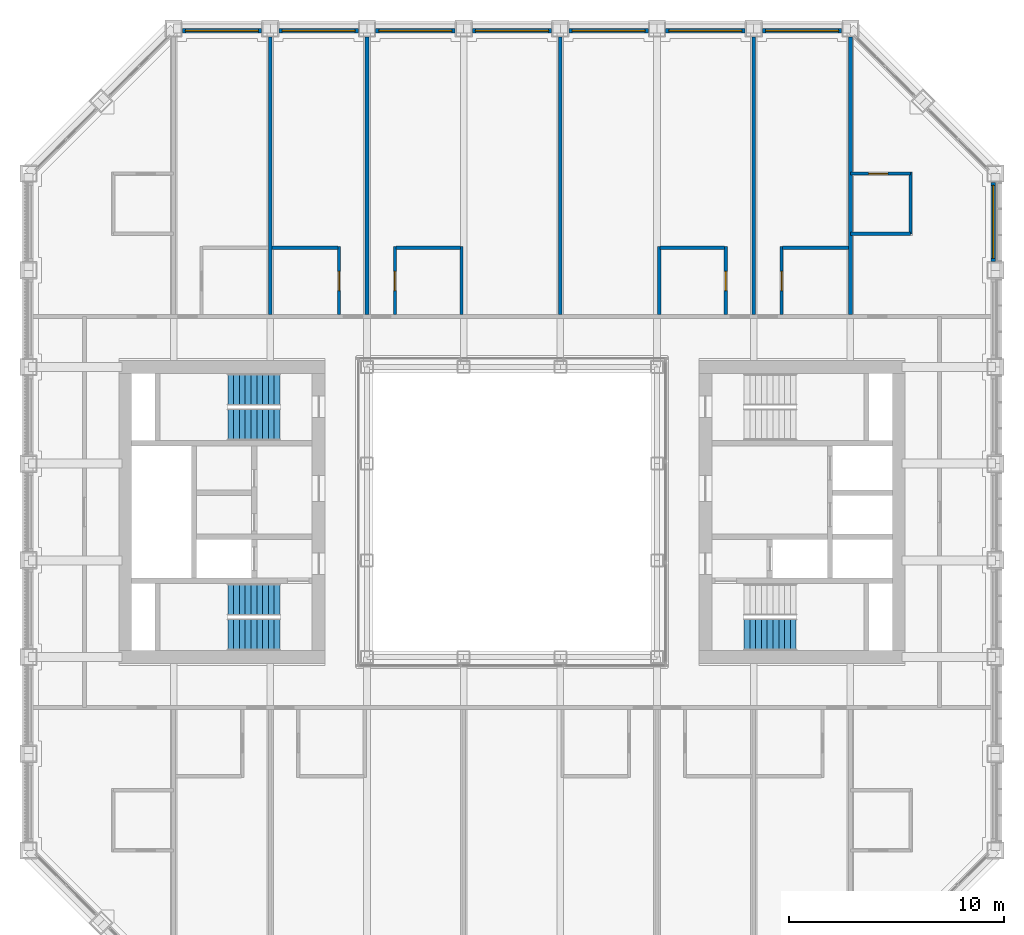
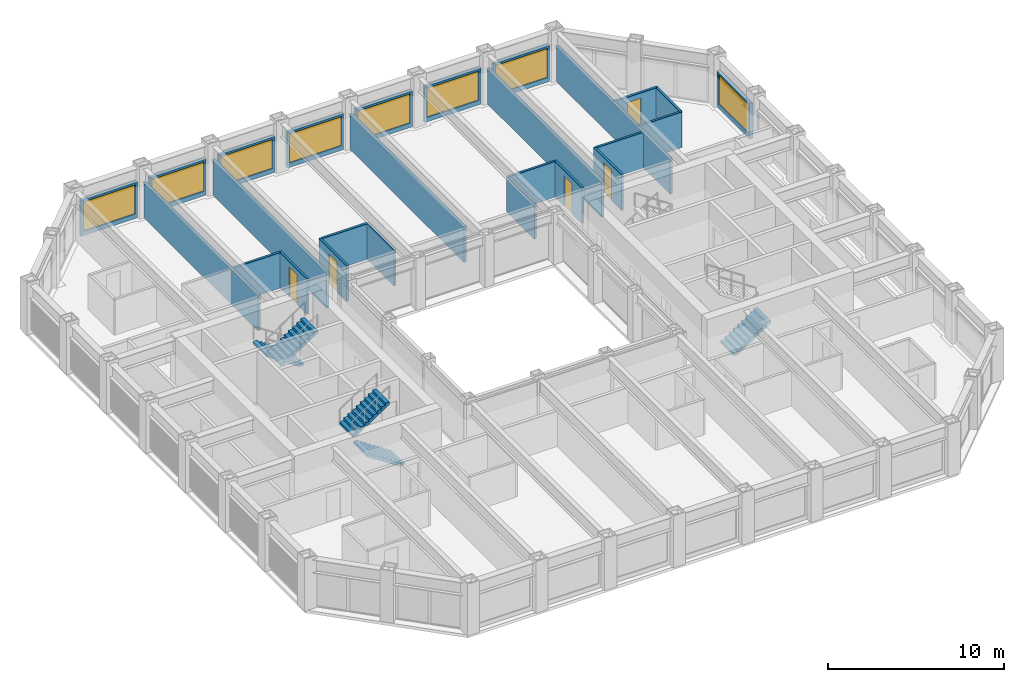
# One storey, part 13 of 17: 26 walls, 8 windows, 5 doors, 5 stair flights, 13 openings, 3 elements without a shape of their own.
"""IFC4 building model written with IfcOpenShell, lengths in metres."""

from ifc_helpers import new_model, si_unit, direction, frame, frame_2d, origin, place, context, subcontext, project, spatial, polyline, rectangle, outline, extrude, material, layer, layer_set, type_object, element, fill, aggregate, save


model = new_model("IFC4")

# Units and contexts
model_context = context("Model", 3, precision=1e-05, world=origin(), true_north=direction((0.0, 1.0)))
body_context = subcontext(model_context, "Body", "Model", "MODEL_VIEW")
ifc_project = project(units=[si_unit("LENGTHUNIT", "METRE"), si_unit("AREAUNIT", "SQUARE_METRE"), si_unit("VOLUMEUNIT", "CUBIC_METRE"), si_unit("PLANEANGLEUNIT", "RADIAN"), si_unit("MASSUNIT", "GRAM", prefix="KILO")], contexts=[model_context])

# Site, building, storey
site_placement = place(None, origin())
site = spatial("IfcSite", under=ifc_project, at=site_placement, CompositionType="ELEMENT")
building_placement = place(site_placement, origin())
building = spatial("IfcBuilding", under=site, at=building_placement, Name="Msasa Ring Tower", CompositionType="ELEMENT")
storey_placement = place(building_placement, frame((0.0, 0.0, 132.800048828125)))
storey = spatial("IfcBuildingStorey", under=building, at=storey_placement, Name="L34", CompositionType="ELEMENT", Elevation=132.800048828125)

# Wall, opening, window
ifc_material_1 = material(Name="Terracotta rainscreen on blockwork", Category="masonry")
ifc_layer_1 = layer(ifc_material_1, 0.199951171875)
ifc_layer_set_1 = layer_set([ifc_layer_1], Name="FW1 TERRACOTTA-LINED INFILL BAY WALL 200")
wall_type_1 = type_object("IfcWallType", Name="FW1 TERRACOTTA-LINED INFILL BAY WALL 200", PredefinedType="SOLIDWALL", material=ifc_layer_set_1)
wall_1_placement = place(storey_placement, frame((22.39990234375, 11.655029296875, 0.0), z_axis=(0.0, 0.0, 1.0), x_axis=(0.0, 1.0, 0.0)))
wall_1 = element("IfcWall", 1, at=wall_1_placement, inside=storey, type_object=wall_type_1, Name="Infill bay wall E L34 15", PredefinedType="SOLIDWALL", context=body_context, shape_type="SweptSolid", body=[
    extrude(rectangle(XDim=3.68994140625, YDim=0.199951171875, at=frame_2d((1.844970703125, 0.0))), origin(), (0.0, 0.0, 1.0), 2.47900390625),
])
opening_1_placement = place(wall_1_placement, frame((0.14501953125, 0.0, 0.300048828125)))
opening_1 = element("IfcOpeningElement", 2, at=opening_1_placement, cuts=wall_1, Name="Opening WN2", PredefinedType="OPENING", context=body_context, shape_type="SweptSolid", body=[
    extrude(rectangle(XDim=3.39990234375, YDim=2.029052734375, at=frame_2d((1.699951171875, 1.0146484375))), frame((0.0, 0.10986328125, 0.0), z_axis=(0.0, -1.0, 0.0), x_axis=(1.0, 0.0, 0.0)), (0.0, 0.0, 1.0), 0.219970703125),
])
ifc_material_2 = material(Name="Aluminium frame with clear glass", Category="aluminium")
window_type = type_object("IfcWindowType", Name="WN2 GUEST ROOM WINDOW 3400x2029", PartitioningType="SINGLE_PANEL", PredefinedType="WINDOW", material=ifc_material_2)
window_1_placement = place(opening_1_placement, origin())
window_1 = element("IfcWindow", 3, at=window_1_placement, inside=storey, type_object=window_type, Name="Window E L34 15", OverallHeight=2.029052734375, OverallWidth=3.39990234375, PartitioningType="SINGLE_PANEL", PredefinedType="WINDOW", context=body_context, shape_type="SweptSolid", body=[
    extrude(rectangle(XDim=3.39990234375, YDim=2.029052734375, at=frame_2d((1.699951171875, 1.0146484375))), frame((0.0, 0.030029296875, 0.0), z_axis=(0.0, -1.0, 0.0), x_axis=(1.0, 0.0, 0.0)), (0.0, 0.0, 1.0), 0.06005859375),
])
fill(opening_1, window_1)

wall_2_placement = place(storey_placement, frame((-15.344970703125, 22.39990234375, 0.0), z_axis=(0.0, 0.0, 1.0), x_axis=(1.0, 0.0, 0.0)))
wall_2 = element("IfcWall", 4, at=wall_2_placement, inside=storey, type_object=wall_type_1, Name="Infill bay wall N L34 18", PredefinedType="SOLIDWALL", context=body_context, shape_type="SweptSolid", body=[
    extrude(rectangle(XDim=3.68994140625, YDim=0.199951171875, at=frame_2d((1.844970703125, 0.0))), origin(), (0.0, 0.0, 1.0), 2.47900390625),
])
opening_2_placement = place(wall_2_placement, frame((0.14501953125, 0.0, 0.300048828125)))
opening_2 = element("IfcOpeningElement", 5, at=opening_2_placement, cuts=wall_2, Name="Opening WN2", PredefinedType="OPENING", context=body_context, shape_type="SweptSolid", body=[
    extrude(rectangle(XDim=3.39990234375, YDim=2.029052734375, at=frame_2d((1.699951171875, 1.0146484375))), frame((0.0, 0.10986328125, 0.0), z_axis=(0.0, -1.0, 0.0), x_axis=(1.0, 0.0, 0.0)), (0.0, 0.0, 1.0), 0.219970703125),
])
window_2_placement = place(opening_2_placement, origin())
window_2 = element("IfcWindow", 6, at=window_2_placement, inside=storey, type_object=window_type, Name="Window N L34 18", OverallHeight=2.029052734375, OverallWidth=3.39990234375, PartitioningType="SINGLE_PANEL", PredefinedType="WINDOW", context=body_context, shape_type="SweptSolid", body=[
    extrude(rectangle(XDim=3.39990234375, YDim=2.029052734375, at=frame_2d((1.699951171875, 1.0146484375))), frame((0.0, 0.030029296875, 0.0), z_axis=(0.0, -1.0, 0.0), x_axis=(1.0, 0.0, 0.0)), (0.0, 0.0, 1.0), 0.06005859375),
])
fill(opening_2, window_2)

wall_3_placement = place(storey_placement, frame((-10.844970703125, 22.39990234375, 0.0), z_axis=(0.0, 0.0, 1.0), x_axis=(1.0, 0.0, 0.0)))
wall_3 = element("IfcWall", 7, at=wall_3_placement, inside=storey, type_object=wall_type_1, Name="Infill bay wall N L34 19", PredefinedType="SOLIDWALL", context=body_context, shape_type="SweptSolid", body=[
    extrude(rectangle(XDim=3.68994140625, YDim=0.199951171875, at=frame_2d((1.844970703125, 0.0))), origin(), (0.0, 0.0, 1.0), 2.47900390625),
])
opening_3_placement = place(wall_3_placement, frame((0.14501953125, 0.0, 0.300048828125)))
opening_3 = element("IfcOpeningElement", 8, at=opening_3_placement, cuts=wall_3, Name="Opening WN2", PredefinedType="OPENING", context=body_context, shape_type="SweptSolid", body=[
    extrude(rectangle(XDim=3.39990234375, YDim=2.029052734375, at=frame_2d((1.699951171875, 1.0146484375))), frame((0.0, 0.10986328125, 0.0), z_axis=(0.0, -1.0, 0.0), x_axis=(1.0, 0.0, 0.0)), (0.0, 0.0, 1.0), 0.219970703125),
])
window_3_placement = place(opening_3_placement, origin())
window_3 = element("IfcWindow", 9, at=window_3_placement, inside=storey, type_object=window_type, Name="Window N L34 19", OverallHeight=2.029052734375, OverallWidth=3.39990234375, PartitioningType="SINGLE_PANEL", PredefinedType="WINDOW", context=body_context, shape_type="SweptSolid", body=[
    extrude(rectangle(XDim=3.39990234375, YDim=2.029052734375, at=frame_2d((1.699951171875, 1.0146484375))), frame((0.0, 0.030029296875, 0.0), z_axis=(0.0, -1.0, 0.0), x_axis=(1.0, 0.0, 0.0)), (0.0, 0.0, 1.0), 0.06005859375),
])
fill(opening_3, window_3)

wall_4_placement = place(storey_placement, frame((-6.344970703125, 22.39990234375, 0.0), z_axis=(0.0, 0.0, 1.0), x_axis=(1.0, 0.0, 0.0)))
wall_4 = element("IfcWall", 10, at=wall_4_placement, inside=storey, type_object=wall_type_1, Name="Infill bay wall N L34 20", PredefinedType="SOLIDWALL", context=body_context, shape_type="SweptSolid", body=[
    extrude(rectangle(XDim=3.68994140625, YDim=0.199951171875, at=frame_2d((1.844970703125, 0.0))), origin(), (0.0, 0.0, 1.0), 2.47900390625),
])
opening_4_placement = place(wall_4_placement, frame((0.14501953125, 0.0, 0.300048828125)))
opening_4 = element("IfcOpeningElement", 11, at=opening_4_placement, cuts=wall_4, Name="Opening WN2", PredefinedType="OPENING", context=body_context, shape_type="SweptSolid", body=[
    extrude(rectangle(XDim=3.39990234375, YDim=2.029052734375, at=frame_2d((1.699951171875, 1.0146484375))), frame((0.0, 0.10986328125, 0.0), z_axis=(0.0, -1.0, 0.0), x_axis=(1.0, 0.0, 0.0)), (0.0, 0.0, 1.0), 0.219970703125),
])
window_4_placement = place(opening_4_placement, origin())
window_4 = element("IfcWindow", 12, at=window_4_placement, inside=storey, type_object=window_type, Name="Window N L34 20", OverallHeight=2.029052734375, OverallWidth=3.39990234375, PartitioningType="SINGLE_PANEL", PredefinedType="WINDOW", context=body_context, shape_type="SweptSolid", body=[
    extrude(rectangle(XDim=3.39990234375, YDim=2.029052734375, at=frame_2d((1.699951171875, 1.0146484375))), frame((0.0, 0.030029296875, 0.0), z_axis=(0.0, -1.0, 0.0), x_axis=(1.0, 0.0, 0.0)), (0.0, 0.0, 1.0), 0.06005859375),
])
fill(opening_4, window_4)

wall_5_placement = place(storey_placement, frame((-1.844970703125, 22.39990234375, 0.0), z_axis=(0.0, 0.0, 1.0), x_axis=(1.0, 0.0, 0.0)))
wall_5 = element("IfcWall", 13, at=wall_5_placement, inside=storey, type_object=wall_type_1, Name="Infill bay wall N L34 21", PredefinedType="SOLIDWALL", context=body_context, shape_type="SweptSolid", body=[
    extrude(rectangle(XDim=3.68994140625, YDim=0.199951171875, at=frame_2d((1.844970703125, 0.0))), origin(), (0.0, 0.0, 1.0), 2.47900390625),
])
opening_5_placement = place(wall_5_placement, frame((0.14501953125, 0.0, 0.300048828125)))
opening_5 = element("IfcOpeningElement", 14, at=opening_5_placement, cuts=wall_5, Name="Opening WN2", PredefinedType="OPENING", context=body_context, shape_type="SweptSolid", body=[
    extrude(rectangle(XDim=3.39990234375, YDim=2.029052734375, at=frame_2d((1.699951171875, 1.0146484375))), frame((0.0, 0.10986328125, 0.0), z_axis=(0.0, -1.0, 0.0), x_axis=(1.0, 0.0, 0.0)), (0.0, 0.0, 1.0), 0.219970703125),
])
window_5_placement = place(opening_5_placement, origin())
window_5 = element("IfcWindow", 15, at=window_5_placement, inside=storey, type_object=window_type, Name="Window N L34 21", OverallHeight=2.029052734375, OverallWidth=3.39990234375, PartitioningType="SINGLE_PANEL", PredefinedType="WINDOW", context=body_context, shape_type="SweptSolid", body=[
    extrude(rectangle(XDim=3.39990234375, YDim=2.029052734375, at=frame_2d((1.699951171875, 1.0146484375))), frame((0.0, 0.030029296875, 0.0), z_axis=(0.0, -1.0, 0.0), x_axis=(1.0, 0.0, 0.0)), (0.0, 0.0, 1.0), 0.06005859375),
])
fill(opening_5, window_5)

wall_6_placement = place(storey_placement, frame((2.655029296875, 22.39990234375, 0.0), z_axis=(0.0, 0.0, 1.0), x_axis=(1.0, 0.0, 0.0)))
wall_6 = element("IfcWall", 16, at=wall_6_placement, inside=storey, type_object=wall_type_1, Name="Infill bay wall N L34 22", PredefinedType="SOLIDWALL", context=body_context, shape_type="SweptSolid", body=[
    extrude(rectangle(XDim=3.68994140625, YDim=0.199951171875, at=frame_2d((1.844970703125, 0.0))), origin(), (0.0, 0.0, 1.0), 2.47900390625),
])
opening_6_placement = place(wall_6_placement, frame((0.14501953125, 0.0, 0.300048828125)))
opening_6 = element("IfcOpeningElement", 17, at=opening_6_placement, cuts=wall_6, Name="Opening WN2", PredefinedType="OPENING", context=body_context, shape_type="SweptSolid", body=[
    extrude(rectangle(XDim=3.39990234375, YDim=2.029052734375, at=frame_2d((1.699951171875, 1.0146484375))), frame((0.0, 0.10986328125, 0.0), z_axis=(0.0, -1.0, 0.0), x_axis=(1.0, 0.0, 0.0)), (0.0, 0.0, 1.0), 0.219970703125),
])
window_6_placement = place(opening_6_placement, origin())
window_6 = element("IfcWindow", 18, at=window_6_placement, inside=storey, type_object=window_type, Name="Window N L34 22", OverallHeight=2.029052734375, OverallWidth=3.39990234375, PartitioningType="SINGLE_PANEL", PredefinedType="WINDOW", context=body_context, shape_type="SweptSolid", body=[
    extrude(rectangle(XDim=3.39990234375, YDim=2.029052734375, at=frame_2d((1.699951171875, 1.0146484375))), frame((0.0, 0.030029296875, 0.0), z_axis=(0.0, -1.0, 0.0), x_axis=(1.0, 0.0, 0.0)), (0.0, 0.0, 1.0), 0.06005859375),
])
fill(opening_6, window_6)

wall_7_placement = place(storey_placement, frame((7.155029296875, 22.39990234375, 0.0), z_axis=(0.0, 0.0, 1.0), x_axis=(1.0, 0.0, 0.0)))
wall_7 = element("IfcWall", 19, at=wall_7_placement, inside=storey, type_object=wall_type_1, Name="Infill bay wall N L34 23", PredefinedType="SOLIDWALL", context=body_context, shape_type="SweptSolid", body=[
    extrude(rectangle(XDim=3.68994140625, YDim=0.199951171875, at=frame_2d((1.844970703125, 0.0))), origin(), (0.0, 0.0, 1.0), 2.47900390625),
])
opening_7_placement = place(wall_7_placement, frame((0.14501953125, 0.0, 0.300048828125)))
opening_7 = element("IfcOpeningElement", 20, at=opening_7_placement, cuts=wall_7, Name="Opening WN2", PredefinedType="OPENING", context=body_context, shape_type="SweptSolid", body=[
    extrude(rectangle(XDim=3.39990234375, YDim=2.029052734375, at=frame_2d((1.699951171875, 1.0146484375))), frame((0.0, 0.10986328125, 0.0), z_axis=(0.0, -1.0, 0.0), x_axis=(1.0, 0.0, 0.0)), (0.0, 0.0, 1.0), 0.219970703125),
])
window_7_placement = place(opening_7_placement, origin())
window_7 = element("IfcWindow", 21, at=window_7_placement, inside=storey, type_object=window_type, Name="Window N L34 23", OverallHeight=2.029052734375, OverallWidth=3.39990234375, PartitioningType="SINGLE_PANEL", PredefinedType="WINDOW", context=body_context, shape_type="SweptSolid", body=[
    extrude(rectangle(XDim=3.39990234375, YDim=2.029052734375, at=frame_2d((1.699951171875, 1.0146484375))), frame((0.0, 0.030029296875, 0.0), z_axis=(0.0, -1.0, 0.0), x_axis=(1.0, 0.0, 0.0)), (0.0, 0.0, 1.0), 0.06005859375),
])
fill(opening_7, window_7)

wall_8_placement = place(storey_placement, frame((11.655029296875, 22.39990234375, 0.0), z_axis=(0.0, 0.0, 1.0), x_axis=(1.0, 0.0, 0.0)))
wall_8 = element("IfcWall", 22, at=wall_8_placement, inside=storey, type_object=wall_type_1, Name="Infill bay wall N L34 24", PredefinedType="SOLIDWALL", context=body_context, shape_type="SweptSolid", body=[
    extrude(rectangle(XDim=3.68994140625, YDim=0.199951171875, at=frame_2d((1.844970703125, 0.0))), origin(), (0.0, 0.0, 1.0), 2.47900390625),
])
opening_8_placement = place(wall_8_placement, frame((0.14501953125, 0.0, 0.300048828125)))
opening_8 = element("IfcOpeningElement", 23, at=opening_8_placement, cuts=wall_8, Name="Opening WN2", PredefinedType="OPENING", context=body_context, shape_type="SweptSolid", body=[
    extrude(rectangle(XDim=3.39990234375, YDim=2.029052734375, at=frame_2d((1.699951171875, 1.0146484375))), frame((0.0, 0.10986328125, 0.0), z_axis=(0.0, -1.0, 0.0), x_axis=(1.0, 0.0, 0.0)), (0.0, 0.0, 1.0), 0.219970703125),
])
window_8_placement = place(opening_8_placement, origin())
window_8 = element("IfcWindow", 24, at=window_8_placement, inside=storey, type_object=window_type, Name="Window N L34 24", OverallHeight=2.029052734375, OverallWidth=3.39990234375, PartitioningType="SINGLE_PANEL", PredefinedType="WINDOW", context=body_context, shape_type="SweptSolid", body=[
    extrude(rectangle(XDim=3.39990234375, YDim=2.029052734375, at=frame_2d((1.699951171875, 1.0146484375))), frame((0.0, 0.030029296875, 0.0), z_axis=(0.0, -1.0, 0.0), x_axis=(1.0, 0.0, 0.0)), (0.0, 0.0, 1.0), 0.06005859375),
])
fill(opening_8, window_8)

# Wall, opening, door
ifc_material_3 = material(Name="Moisture-resistant board on steel studs with a concealed cistern and pipe void, tiled", Category="steel")
ifc_layer_2 = layer(ifc_material_3, 0.14990234375)
ifc_layer_set_2 = layer_set([ifc_layer_2], Name="PT4 BATHROOM WET WALL 150")
wall_type_2 = type_object("IfcWallType", Name="PT4 BATHROOM WET WALL 150", PredefinedType="PARTITIONING", material=ifc_layer_set_2)
wall_9_placement = place(storey_placement, frame((-8.050048828125, 9.199951171875, 0.0), z_axis=(0.0, 0.0, 1.0), x_axis=(0.0, 1.0, 0.0)))
wall_9 = element("IfcWall", 25, at=wall_9_placement, inside=storey, type_object=wall_type_2, Name="Partition L34-GN01BX", PredefinedType="PARTITIONING", context=body_context, shape_type="SweptSolid", body=[
    extrude(rectangle(XDim=3.150146484375, YDim=0.14990234375, at=frame_2d((1.5751953125, 0.0))), origin(), (0.0, 0.0, 1.0), 2.473388671875),
])
opening_9_placement = place(wall_9_placement, frame((1.10009765625, 0.0, 0.0)))
opening_9 = element("IfcOpeningElement", 26, at=opening_9_placement, cuts=wall_9, Name="Opening HB-004", PredefinedType="OPENING", context=body_context, shape_type="SweptSolid", body=[
    extrude(rectangle(XDim=0.89990234375, YDim=2.10009765625, at=frame_2d((0.449951171875, 1.050048828125))), frame((0.0, 0.0849609375, 0.0), z_axis=(0.0, -1.0, 0.0), x_axis=(1.0, 0.0, 0.0)), (0.0, 0.0, 1.0), 0.169921875),
])
ifc_material_4 = material(Name="Timber door leaf in a steel frame", Category="steel")
door_type = type_object("IfcDoorType", Name="D3 BATHROOM DOOR 900x2100", OperationType="SINGLE_SWING_LEFT", PredefinedType="DOOR", material=ifc_material_4)
door_1_placement = place(opening_9_placement, origin())
door_1 = element("IfcDoor", 27, at=door_1_placement, inside=storey, type_object=door_type, Name="Door L34-GN01B", OperationType="SINGLE_SWING_LEFT", OverallHeight=2.10009765625, OverallWidth=0.89990234375, PredefinedType="DOOR", context=body_context, shape_type="SweptSolid", body=[
    extrude(rectangle(XDim=0.89990234375, YDim=2.10009765625, at=frame_2d((0.449951171875, 1.050048828125))), frame((0.0, 0.02490234375, 0.0), z_axis=(0.0, -1.0, 0.0), x_axis=(1.0, 0.0, 0.0)), (0.0, 0.0, 1.0), 0.050048828125),
])
fill(opening_9, door_1)

# Wall
wall_10_placement = place(storey_placement, frame((-11.16259765625, 12.300048828125, 0.0), z_axis=(0.0, 0.0, 1.0), x_axis=(1.0, 0.0, 0.0)))
element("IfcWall", 28, at=wall_10_placement, inside=storey, type_object=wall_type_2, Name="Partition L34-GN01BY", PredefinedType="PARTITIONING", context=body_context, shape_type="SweptSolid", body=[
    extrude(rectangle(XDim=3.0625, YDim=0.14990234375, at=frame_2d((1.53125, 0.0))), origin(), (0.0, 0.0, 1.0), 2.473388671875),
])

# Wall, opening, door
wall_11_placement = place(storey_placement, frame((-5.449951171875, 9.199951171875, 0.0), z_axis=(0.0, 0.0, 1.0), x_axis=(0.0, 1.0, 0.0)))
wall_11 = element("IfcWall", 29, at=wall_11_placement, inside=storey, type_object=wall_type_2, Name="Partition L34-GN02BX", PredefinedType="PARTITIONING", context=body_context, shape_type="SweptSolid", body=[
    extrude(rectangle(XDim=3.150146484375, YDim=0.14990234375, at=frame_2d((1.5751953125, 0.0))), origin(), (0.0, 0.0, 1.0), 2.473388671875),
])
opening_10_placement = place(wall_11_placement, frame((1.10009765625, 0.0, 0.0)))
opening_10 = element("IfcOpeningElement", 30, at=opening_10_placement, cuts=wall_11, Name="Opening HB-005", PredefinedType="OPENING", context=body_context, shape_type="SweptSolid", body=[
    extrude(rectangle(XDim=0.89990234375, YDim=2.10009765625, at=frame_2d((0.449951171875, 1.050048828125))), frame((0.0, 0.0849609375, 0.0), z_axis=(0.0, -1.0, 0.0), x_axis=(1.0, 0.0, 0.0)), (0.0, 0.0, 1.0), 0.169921875),
])
door_2_placement = place(opening_10_placement, origin())
door_2 = element("IfcDoor", 31, at=door_2_placement, inside=storey, type_object=door_type, Name="Door L34-GN02B", OperationType="SINGLE_SWING_LEFT", OverallHeight=2.10009765625, OverallWidth=0.89990234375, PredefinedType="DOOR", context=body_context, shape_type="SweptSolid", body=[
    extrude(rectangle(XDim=0.89990234375, YDim=2.10009765625, at=frame_2d((0.449951171875, 1.050048828125))), frame((0.0, 0.02490234375, 0.0), z_axis=(0.0, -1.0, 0.0), x_axis=(1.0, 0.0, 0.0)), (0.0, 0.0, 1.0), 0.050048828125),
])
fill(opening_10, door_2)

# Walls
wall_12_placement = place(storey_placement, frame((-2.35009765625, 9.199951171875, 0.0), z_axis=(0.0, 0.0, 1.0), x_axis=(0.0, 1.0, 0.0)))
element("IfcWall", 32, at=wall_12_placement, inside=storey, type_object=wall_type_2, Name="Partition L34-GN02BF", PredefinedType="PARTITIONING", context=body_context, shape_type="SweptSolid", body=[
    extrude(rectangle(XDim=3.150146484375, YDim=0.14990234375, at=frame_2d((1.5751953125, 0.0))), origin(), (0.0, 0.0, 1.0), 2.473388671875),
])
wall_13_placement = place(storey_placement, frame((-5.39990234375, 12.300048828125, 0.0), z_axis=(0.0, 0.0, 1.0), x_axis=(1.0, 0.0, 0.0)))
element("IfcWall", 33, at=wall_13_placement, inside=storey, type_object=wall_type_2, Name="Partition L34-GN02BY", PredefinedType="PARTITIONING", context=body_context, shape_type="SweptSolid", body=[
    extrude(rectangle(XDim=3.0, YDim=0.14990234375, at=frame_2d((1.5, 0.0))), origin(), (0.0, 0.0, 1.0), 2.473388671875),
])

# Wall, opening, door
wall_14_placement = place(storey_placement, frame((9.949951171875, 9.199951171875, 0.0), z_axis=(0.0, 0.0, 1.0), x_axis=(0.0, 1.0, 0.0)))
wall_14 = element("IfcWall", 34, at=wall_14_placement, inside=storey, type_object=wall_type_2, Name="Partition L34-GN03BX", PredefinedType="PARTITIONING", context=body_context, shape_type="SweptSolid", body=[
    extrude(rectangle(XDim=3.150146484375, YDim=0.14990234375, at=frame_2d((1.5751953125, 0.0))), origin(), (0.0, 0.0, 1.0), 2.473388671875),
])
opening_11_placement = place(wall_14_placement, frame((1.10009765625, 0.0, 0.0)))
opening_11 = element("IfcOpeningElement", 35, at=opening_11_placement, cuts=wall_14, Name="Opening HB-006", PredefinedType="OPENING", context=body_context, shape_type="SweptSolid", body=[
    extrude(rectangle(XDim=0.89990234375, YDim=2.10009765625, at=frame_2d((0.449951171875, 1.050048828125))), frame((0.0, 0.0849609375, 0.0), z_axis=(0.0, -1.0, 0.0), x_axis=(1.0, 0.0, 0.0)), (0.0, 0.0, 1.0), 0.169921875),
])
door_3_placement = place(opening_11_placement, origin())
door_3 = element("IfcDoor", 36, at=door_3_placement, inside=storey, type_object=door_type, Name="Door L34-GN03B", OperationType="SINGLE_SWING_LEFT", OverallHeight=2.10009765625, OverallWidth=0.89990234375, PredefinedType="DOOR", context=body_context, shape_type="SweptSolid", body=[
    extrude(rectangle(XDim=0.89990234375, YDim=2.10009765625, at=frame_2d((0.449951171875, 1.050048828125))), frame((0.0, 0.02490234375, 0.0), z_axis=(0.0, -1.0, 0.0), x_axis=(1.0, 0.0, 0.0)), (0.0, 0.0, 1.0), 0.050048828125),
])
fill(opening_11, door_3)

# Walls
wall_15_placement = place(storey_placement, frame((6.85009765625, 9.199951171875, 0.0), z_axis=(0.0, 0.0, 1.0), x_axis=(0.0, 1.0, 0.0)))
element("IfcWall", 37, at=wall_15_placement, inside=storey, type_object=wall_type_2, Name="Partition L34-GN03BF", PredefinedType="PARTITIONING", context=body_context, shape_type="SweptSolid", body=[
    extrude(rectangle(XDim=3.150146484375, YDim=0.14990234375, at=frame_2d((1.5751953125, 0.0))), origin(), (0.0, 0.0, 1.0), 2.473388671875),
])
wall_16_placement = place(storey_placement, frame((6.89990234375, 12.300048828125, 0.0), z_axis=(0.0, 0.0, 1.0), x_axis=(1.0, 0.0, 0.0)))
element("IfcWall", 38, at=wall_16_placement, inside=storey, type_object=wall_type_2, Name="Partition L34-GN03BY", PredefinedType="PARTITIONING", context=body_context, shape_type="SweptSolid", body=[
    extrude(rectangle(XDim=3.0, YDim=0.14990234375, at=frame_2d((1.5, 0.0))), origin(), (0.0, 0.0, 1.0), 2.473388671875),
])

# Wall, opening, door
wall_17_placement = place(storey_placement, frame((12.550048828125, 9.199951171875, 0.0), z_axis=(0.0, 0.0, 1.0), x_axis=(0.0, 1.0, 0.0)))
wall_17 = element("IfcWall", 39, at=wall_17_placement, inside=storey, type_object=wall_type_2, Name="Partition L34-GN04BX", PredefinedType="PARTITIONING", context=body_context, shape_type="SweptSolid", body=[
    extrude(rectangle(XDim=3.150146484375, YDim=0.14990234375, at=frame_2d((1.5751953125, 0.0))), origin(), (0.0, 0.0, 1.0), 2.473388671875),
])
opening_12_placement = place(wall_17_placement, frame((1.10009765625, 0.0, 0.0)))
opening_12 = element("IfcOpeningElement", 40, at=opening_12_placement, cuts=wall_17, Name="Opening HB-007", PredefinedType="OPENING", context=body_context, shape_type="SweptSolid", body=[
    extrude(rectangle(XDim=0.89990234375, YDim=2.10009765625, at=frame_2d((0.449951171875, 1.050048828125))), frame((0.0, 0.0849609375, 0.0), z_axis=(0.0, -1.0, 0.0), x_axis=(1.0, 0.0, 0.0)), (0.0, 0.0, 1.0), 0.169921875),
])
door_4_placement = place(opening_12_placement, origin())
door_4 = element("IfcDoor", 41, at=door_4_placement, inside=storey, type_object=door_type, Name="Door L34-GN04B", OperationType="SINGLE_SWING_LEFT", OverallHeight=2.10009765625, OverallWidth=0.89990234375, PredefinedType="DOOR", context=body_context, shape_type="SweptSolid", body=[
    extrude(rectangle(XDim=0.89990234375, YDim=2.10009765625, at=frame_2d((0.449951171875, 1.050048828125))), frame((0.0, 0.02490234375, 0.0), z_axis=(0.0, -1.0, 0.0), x_axis=(1.0, 0.0, 0.0)), (0.0, 0.0, 1.0), 0.050048828125),
])
fill(opening_12, door_4)

# Walls
wall_18_placement = place(storey_placement, frame((12.60009765625, 12.300048828125, 0.0), z_axis=(0.0, 0.0, 1.0), x_axis=(1.0, 0.0, 0.0)))
element("IfcWall", 42, at=wall_18_placement, inside=storey, type_object=wall_type_2, Name="Partition L34-GN04BY", PredefinedType="PARTITIONING", context=body_context, shape_type="SweptSolid", body=[
    extrude(rectangle(XDim=3.0625, YDim=0.14990234375, at=frame_2d((1.53125, 0.0))), origin(), (0.0, 0.0, 1.0), 2.473388671875),
])
wall_19_placement = place(storey_placement, frame((18.550048828125, 12.949951171875, 0.0), z_axis=(0.0, 0.0, 1.0), x_axis=(0.0, 1.0, 0.0)))
element("IfcWall", 43, at=wall_19_placement, inside=storey, type_object=wall_type_2, Name="Partition L34-CSNEBX", PredefinedType="PARTITIONING", context=body_context, shape_type="SweptSolid", body=[
    extrude(rectangle(XDim=2.875, YDim=0.14990234375, at=frame_2d((1.4375, 0.0))), origin(), (0.0, 0.0, 1.0), 2.473388671875),
])
wall_20_placement = place(storey_placement, frame((15.75, 12.949951171875, 0.0), z_axis=(0.0, 0.0, 1.0), x_axis=(1.0, 0.0, 0.0)))
element("IfcWall", 44, at=wall_20_placement, inside=storey, type_object=wall_type_2, Name="Partition L34-CSNEBY", PredefinedType="PARTITIONING", context=body_context, shape_type="SweptSolid", body=[
    extrude(rectangle(XDim=2.800048828125, YDim=0.14990234375, at=frame_2d((1.39990234375, 0.0))), origin(), (0.0, 0.0, 1.0), 2.473388671875),
])

# Wall, opening, door
wall_21_placement = place(storey_placement, frame((15.75, 15.75, 0.0), z_axis=(0.0, 0.0, 1.0), x_axis=(1.0, 0.0, 0.0)))
wall_21 = element("IfcWall", 45, at=wall_21_placement, inside=storey, type_object=wall_type_2, Name="Partition L34-CSNEBZ", PredefinedType="PARTITIONING", context=body_context, shape_type="SweptSolid", body=[
    extrude(rectangle(XDim=2.800048828125, YDim=0.14990234375, at=frame_2d((1.39990234375, 0.0))), origin(), (0.0, 0.0, 1.0), 2.473388671875),
])
opening_13_placement = place(wall_21_placement, frame((0.85009765625, 0.0, 0.0)))
opening_13 = element("IfcOpeningElement", 46, at=opening_13_placement, cuts=wall_21, Name="Opening HB-002", PredefinedType="OPENING", context=body_context, shape_type="SweptSolid", body=[
    extrude(rectangle(XDim=0.89990234375, YDim=2.10009765625, at=frame_2d((0.449951171875, 1.050048828125))), frame((0.0, 0.0849609375, 0.0), z_axis=(0.0, -1.0, 0.0), x_axis=(1.0, 0.0, 0.0)), (0.0, 0.0, 1.0), 0.169921875),
])
door_5_placement = place(opening_13_placement, origin())
door_5 = element("IfcDoor", 47, at=door_5_placement, inside=storey, type_object=door_type, Name="Door L34-CSNEB1", OperationType="SINGLE_SWING_LEFT", OverallHeight=2.10009765625, OverallWidth=0.89990234375, PredefinedType="DOOR", context=body_context, shape_type="SweptSolid", body=[
    extrude(rectangle(XDim=0.89990234375, YDim=2.10009765625, at=frame_2d((0.449951171875, 1.050048828125))), frame((0.0, 0.02490234375, 0.0), z_axis=(0.0, -1.0, 0.0), x_axis=(1.0, 0.0, 0.0)), (0.0, 0.0, 1.0), 0.050048828125),
])
fill(opening_13, door_5)

# Walls
ifc_material_5 = material(Name="Twin steel studs, two layers of acoustic board each face, mineral wool", Category="steel")
ifc_layer_3 = layer(ifc_material_5, 0.175048828125)
ifc_layer_set_3 = layer_set([ifc_layer_3], Name="PT5 GUEST ROOM SEPARATING WALL 175")
wall_type_3 = type_object("IfcWallType", Name="PT5 GUEST ROOM SEPARATING WALL 175", PredefinedType="PARTITIONING", material=ifc_layer_set_3)
for number, where, z_axis, x_axis, name in (
    (48, (-11.25, 9.199951171875, 0.0), (0.0, 0.0, 1.0), (0.0, 1.0, 0.0), "Partition L34-PWN-11.25"),
    (49, (-6.75, 9.199951171875, 0.0), (0.0, 0.0, 1.0), (0.0, 1.0, 0.0), "Partition L34-PWN-6.75"),
    (50, (2.25, 9.199951171875, 0.0), (0.0, 0.0, 1.0), (0.0, 1.0, 0.0), "Partition L34-PWN+2.25"),
    (51, (11.25, 9.199951171875, 0.0), (0.0, 0.0, 1.0), (0.0, 1.0, 0.0), "Partition L34-PWN+11.25"),
    (52, (15.75, 9.199951171875, 0.0), (0.0, 0.0, 1.0), (0.0, 1.0, 0.0), "Partition L34-PWN+15.75"),
):
    element("IfcWall", number, at=place(storey_placement, frame(where, z_axis=z_axis, x_axis=x_axis)), inside=storey, type_object=wall_type_3, Name=name, PredefinedType="PARTITIONING", context=body_context, shape_type="SweptSolid", body=[
        extrude(rectangle(XDim=12.900146484375, YDim=0.175048828125, at=frame_2d((6.4501953125, 0.0))), origin(), (0.0, 0.0, 1.0), 2.473388671875),
    ])

# Stair, stair flight
ifc_material_6 = material(Name="Concrete C40/50", Category="concrete")
stair_type = type_object("IfcStairType", Name="STC CORE STAIR 20 RISERS 180", PredefinedType="HALF_TURN_STAIR", material=ifc_material_6)
stair_1_placement = place(storey_placement, origin())
stair_1 = element("IfcStair", 53, at=stair_1_placement, inside=storey, type_object=stair_type, Name="Core stair SEA L34", PredefinedType="HALF_TURN_STAIR")
ifc_material_7 = material(Name="Concrete C40/50", Category="concrete")
stair_flight_type = type_object("IfcStairFlightType", Name="ST14 CORE STAIR FLIGHT 1500 10 RISERS 180", PredefinedType="STRAIGHT", material=ifc_material_7)
stair_flight_1_placement = place(storey_placement, frame((10.800048828125, -5.699951171875, 0.0), z_axis=(0.0, 0.0, 1.0), x_axis=(1.0, 0.0, 0.0)))
stair_flight_1 = element("IfcStairFlight", 54, at=stair_flight_1_placement, type_object=stair_flight_type, Name="SEA flight 1", NumberOfRisers=10, NumberOfTreads=9, PredefinedType="STRAIGHT", RiserHeight=0.18, TreadLength=0.27, context=body_context, shape_type="SweptSolid", body=[
    extrude(outline(polyline([(0.0, 0.0), (0.0, 0.179931640625), (0.27001953125, 0.179931640625), (0.27001953125, 0.360107421875), (0.5400390625, 0.360107421875), (0.5400390625, 0.5400390625), (0.81005859375, 0.5400390625), (0.81005859375, 0.719970703125), (1.080078125, 0.719970703125), (1.080078125, 0.89990234375), (1.35009765625, 0.89990234375), (1.35009765625, 1.080078125), (1.6201171875, 1.080078125), (1.6201171875, 1.260009765625), (1.889892578125, 1.260009765625), (1.889892578125, 1.43994140625), (2.159912109375, 1.43994140625), (2.159912109375, 1.6201171875), (2.429931640625, 1.6201171875), (2.429931640625, 1.800048828125), (2.429931640625, 1.43994140625), (0.270263671875, 0.0), (0.0, 0.0)])), frame((0.0, 0.75, 0.0), z_axis=(0.0, -1.0, 0.0), x_axis=(1.0, 0.0, 0.0)), (0.0, 0.0, 1.0), 1.5),
])
aggregate(stair_1, [stair_flight_1])

# Stair, stair flights
stair_2_placement = place(storey_placement, origin())
stair_2 = element("IfcStair", 55, at=stair_2_placement, inside=storey, type_object=stair_type, Name="Core stair SWA L34", PredefinedType="HALF_TURN_STAIR")
stair_flight_2_placement = place(storey_placement, frame((-10.800048828125, -5.699951171875, 0.0), z_axis=(0.0, 0.0, 1.0), x_axis=(-1.0, 0.0, 0.0)))
stair_flight_2 = element("IfcStairFlight", 56, at=stair_flight_2_placement, type_object=stair_flight_type, Name="SWA flight 1", NumberOfRisers=10, NumberOfTreads=9, PredefinedType="STRAIGHT", RiserHeight=0.18, TreadLength=0.27, context=body_context, shape_type="SweptSolid", body=[
    extrude(outline(polyline([(0.0, 0.0), (0.0, 0.179931640625), (0.27001953125, 0.179931640625), (0.27001953125, 0.360107421875), (0.5400390625, 0.360107421875), (0.5400390625, 0.5400390625), (0.81005859375, 0.5400390625), (0.81005859375, 0.719970703125), (1.080078125, 0.719970703125), (1.080078125, 0.89990234375), (1.35009765625, 0.89990234375), (1.35009765625, 1.080078125), (1.6201171875, 1.080078125), (1.6201171875, 1.260009765625), (1.889892578125, 1.260009765625), (1.889892578125, 1.43994140625), (2.159912109375, 1.43994140625), (2.159912109375, 1.6201171875), (2.429931640625, 1.6201171875), (2.429931640625, 1.800048828125), (2.429931640625, 1.43994140625), (0.270263671875, 0.0), (0.0, 0.0)])), frame((0.0, 0.75, 0.0), z_axis=(0.0, -1.0, 0.0), x_axis=(1.0, 0.0, 0.0)), (0.0, 0.0, 1.0), 1.5),
])
stair_flight_3_placement = place(storey_placement, frame((-13.22998046875, -4.074951171875, 1.800048828125), z_axis=(0.0, 0.0, 1.0), x_axis=(1.0, 0.0, 0.0)))
stair_flight_3 = element("IfcStairFlight", 57, at=stair_flight_3_placement, type_object=stair_flight_type, Name="SWA flight 2", NumberOfRisers=10, NumberOfTreads=9, PredefinedType="STRAIGHT", RiserHeight=0.18, TreadLength=0.27, context=body_context, shape_type="SweptSolid", body=[
    extrude(outline(polyline([(0.0, 0.0), (0.0, 0.179931640625), (0.27001953125, 0.179931640625), (0.27001953125, 0.360107421875), (0.5400390625, 0.360107421875), (0.5400390625, 0.5400390625), (0.81005859375, 0.5400390625), (0.81005859375, 0.719970703125), (1.080078125, 0.719970703125), (1.080078125, 0.89990234375), (1.35009765625, 0.89990234375), (1.35009765625, 1.080078125), (1.6201171875, 1.080078125), (1.6201171875, 1.260009765625), (1.889892578125, 1.260009765625), (1.889892578125, 1.43994140625), (2.159912109375, 1.43994140625), (2.159912109375, 1.6201171875), (2.429931640625, 1.6201171875), (2.429931640625, 1.800048828125), (2.429931640625, 1.43994140625), (0.270263671875, 0.0), (0.0, 0.0)])), frame((0.0, 0.75, 0.0), z_axis=(0.0, -1.0, 0.0), x_axis=(1.0, 0.0, 0.0)), (0.0, 0.0, 1.0), 1.5),
])
aggregate(stair_2, [stair_flight_2, stair_flight_3])

stair_3_placement = place(storey_placement, origin())
stair_3 = element("IfcStair", 58, at=stair_3_placement, inside=storey, type_object=stair_type, Name="Core stair SWB L34", PredefinedType="HALF_TURN_STAIR")
stair_flight_4_placement = place(storey_placement, frame((-10.800048828125, 5.699951171875, 0.0), z_axis=(0.0, 0.0, 1.0), x_axis=(-1.0, 0.0, 0.0)))
stair_flight_4 = element("IfcStairFlight", 59, at=stair_flight_4_placement, type_object=stair_flight_type, Name="SWB flight 1", NumberOfRisers=10, NumberOfTreads=9, PredefinedType="STRAIGHT", RiserHeight=0.18, TreadLength=0.27, context=body_context, shape_type="SweptSolid", body=[
    extrude(outline(polyline([(0.0, 0.0), (0.0, 0.179931640625), (0.27001953125, 0.179931640625), (0.27001953125, 0.360107421875), (0.5400390625, 0.360107421875), (0.5400390625, 0.5400390625), (0.81005859375, 0.5400390625), (0.81005859375, 0.719970703125), (1.080078125, 0.719970703125), (1.080078125, 0.89990234375), (1.35009765625, 0.89990234375), (1.35009765625, 1.080078125), (1.6201171875, 1.080078125), (1.6201171875, 1.260009765625), (1.889892578125, 1.260009765625), (1.889892578125, 1.43994140625), (2.159912109375, 1.43994140625), (2.159912109375, 1.6201171875), (2.429931640625, 1.6201171875), (2.429931640625, 1.800048828125), (2.429931640625, 1.43994140625), (0.270263671875, 0.0), (0.0, 0.0)])), frame((0.0, 0.75, 0.0), z_axis=(0.0, -1.0, 0.0), x_axis=(1.0, 0.0, 0.0)), (0.0, 0.0, 1.0), 1.5),
])
stair_flight_5_placement = place(storey_placement, frame((-13.22998046875, 4.074951171875, 1.800048828125), z_axis=(0.0, 0.0, 1.0), x_axis=(1.0, 0.0, 0.0)))
stair_flight_5 = element("IfcStairFlight", 60, at=stair_flight_5_placement, type_object=stair_flight_type, Name="SWB flight 2", NumberOfRisers=10, NumberOfTreads=9, PredefinedType="STRAIGHT", RiserHeight=0.18, TreadLength=0.27, context=body_context, shape_type="SweptSolid", body=[
    extrude(outline(polyline([(0.0, 0.0), (0.0, 0.179931640625), (0.27001953125, 0.179931640625), (0.27001953125, 0.360107421875), (0.5400390625, 0.360107421875), (0.5400390625, 0.5400390625), (0.81005859375, 0.5400390625), (0.81005859375, 0.719970703125), (1.080078125, 0.719970703125), (1.080078125, 0.89990234375), (1.35009765625, 0.89990234375), (1.35009765625, 1.080078125), (1.6201171875, 1.080078125), (1.6201171875, 1.260009765625), (1.889892578125, 1.260009765625), (1.889892578125, 1.43994140625), (2.159912109375, 1.43994140625), (2.159912109375, 1.6201171875), (2.429931640625, 1.6201171875), (2.429931640625, 1.800048828125), (2.429931640625, 1.43994140625), (0.270263671875, 0.0), (0.0, 0.0)])), frame((0.0, 0.75, 0.0), z_axis=(0.0, -1.0, 0.0), x_axis=(1.0, 0.0, 0.0)), (0.0, 0.0, 1.0), 1.5),
])
aggregate(stair_3, [stair_flight_4, stair_flight_5])

save(model, "model.ifc")
